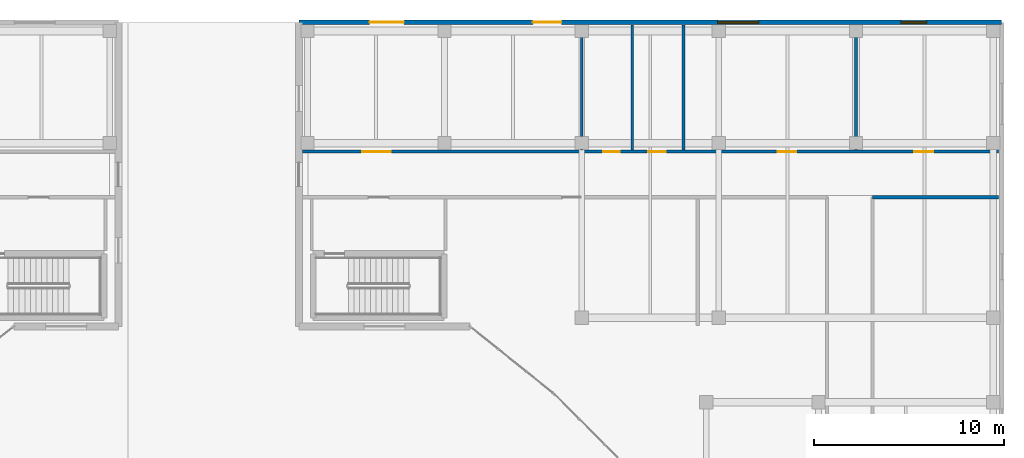
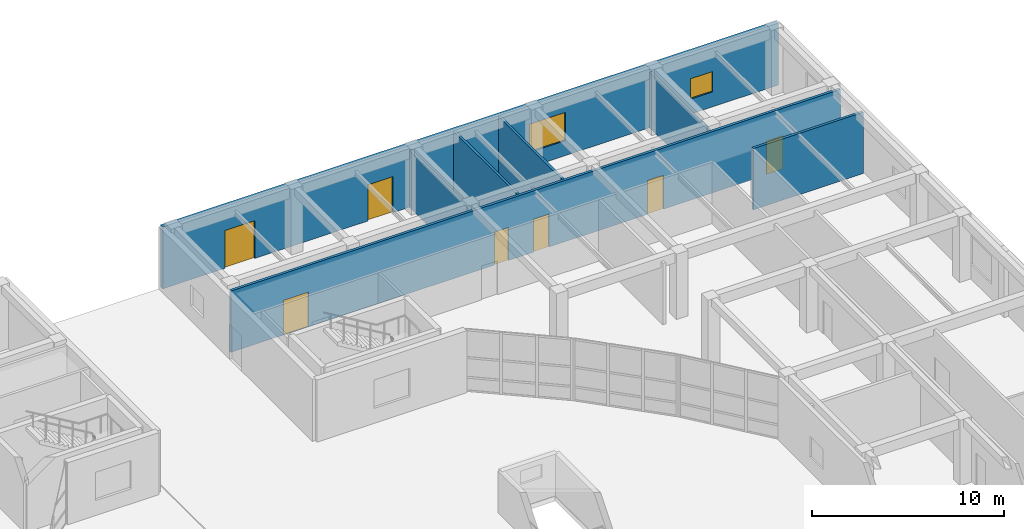
# One storey, part 91 of 114: 7 doors, 7 walls, 2 windows, 9 openings.
"""IFC4 building model written with IfcOpenShell, lengths in metres."""

from ifc_helpers import new_model, si_unit, direction, frame, frame_2d, origin, place, context, subcontext, project, spatial, rectangle, extrude, material, layer, layer_set, type_object, element, fill, save


model = new_model("IFC4")

# Units and contexts
model_context = context("Model", 3, precision=1e-05, world=origin(), true_north=direction((0.0, 1.0)))
body_context = subcontext(model_context, "Body", "Model", "MODEL_VIEW")
ifc_project = project(units=[si_unit("LENGTHUNIT", "METRE"), si_unit("AREAUNIT", "SQUARE_METRE"), si_unit("VOLUMEUNIT", "CUBIC_METRE"), si_unit("PLANEANGLEUNIT", "RADIAN"), si_unit("MASSUNIT", "GRAM", prefix="KILO")], contexts=[model_context])

# Site, building, storey
site_placement = place(None, origin())
site = spatial("IfcSite", under=ifc_project, at=site_placement, CompositionType="ELEMENT")
building_placement = place(site_placement, origin())
building = spatial("IfcBuilding", under=site, at=building_placement, Name="Keldmere Railside Commons", CompositionType="ELEMENT")
storey_placement = place(building_placement, origin())
storey = spatial("IfcBuildingStorey", under=building, at=storey_placement, Name="L00", CompositionType="ELEMENT", Elevation=0.0)

# Wall
ifc_material_1 = material(Name="Acoustic Gypsum Board Partition", Category="gypsum")
ifc_layer_1 = layer(ifc_material_1, 0.159912109375, Name="Corridor Fire Partition 160")
ifc_layer_set_1 = layer_set([ifc_layer_1], Name="Acoustic Gypsum Board Partition")
wall_type_1 = type_object("IfcWallType", Name="Corridor Fire Partition 160", PredefinedType="PARTITIONING", material=ifc_layer_set_1)
wall_1_placement = place(storey_placement, frame((177.199951171875, 106.800048828125, 0.0), z_axis=(0.0, 0.0, 1.0), x_axis=(1.0, 0.0, 0.0)))
element("IfcWall", 1, at=wall_1_placement, inside=storey, type_object=wall_type_1, Name="IW-2 IW-L00-1407", PredefinedType="PARTITIONING", context=body_context, shape_type="SweptSolid", body=[
    extrude(rectangle(XDim=6.6201171875, YDim=0.159912109375, at=frame_2d((3.31005859375, 0.0))), origin(), (0.0, 0.0, 1.0), 3.89501953125),
])

# Wall, openings, doors
wall_2_placement = place(storey_placement, frame((147.179931640625, 109.199951171875, 0.0), z_axis=(0.0, 0.0, 1.0), x_axis=(1.0, 0.0, 0.0)))
wall_2 = element("IfcWall", 2, at=wall_2_placement, inside=storey, type_object=wall_type_1, Name="IW-2 IW-L00-1408", PredefinedType="PARTITIONING", context=body_context, shape_type="SweptSolid", body=[
    extrude(rectangle(XDim=36.64013671875, YDim=0.159912109375, at=frame_2d((18.320068359375, 0.0))), origin(), (0.0, 0.0, 1.0), 3.89501953125),
])
opening_1_placement = place(wall_2_placement, frame((3.169921875, 0.0, 0.0)))
opening_1 = element("IfcOpeningElement", 3, at=opening_1_placement, cuts=wall_2, Name="Opening ID-07", PredefinedType="OPENING", context=body_context, shape_type="SweptSolid", body=[
    extrude(rectangle(XDim=1.5, YDim=2.199951171875, at=frame_2d((0.75, 1.10009765625))), frame((0.0, 0.08984375, 0.0), z_axis=(0.0, -1.0, 0.0), x_axis=(1.0, 0.0, 0.0)), (0.0, 0.0, 1.0), 0.179931640625),
])
opening_2_placement = place(wall_2_placement, frame((15.840087890625, 0.0, 0.0)))
opening_2 = element("IfcOpeningElement", 4, at=opening_2_placement, cuts=wall_2, Name="Opening ID-04", PredefinedType="OPENING", context=body_context, shape_type="SweptSolid", body=[
    extrude(rectangle(XDim=0.860107421875, YDim=2.10009765625, at=frame_2d((0.43017578125, 1.050048828125))), frame((0.0, 0.08984375, 0.0), z_axis=(0.0, -1.0, 0.0), x_axis=(1.0, 0.0, 0.0)), (0.0, 0.0, 1.0), 0.179931640625),
])
opening_3_placement = place(wall_2_placement, frame((18.199951171875, 0.0, 0.0)))
opening_3 = element("IfcOpeningElement", 5, at=opening_3_placement, cuts=wall_2, Name="Opening ID-05", PredefinedType="OPENING", context=body_context, shape_type="SweptSolid", body=[
    extrude(rectangle(XDim=0.93994140625, YDim=2.10009765625, at=frame_2d((0.469970703125, 1.050048828125))), frame((0.0, 0.08984375, 0.0), z_axis=(0.0, -1.0, 0.0), x_axis=(1.0, 0.0, 0.0)), (0.0, 0.0, 1.0), 0.179931640625),
])
opening_4_placement = place(wall_2_placement, frame((25.0400390625, 0.0, 0.0)))
opening_4 = element("IfcOpeningElement", 6, at=opening_4_placement, cuts=wall_2, Name="Opening ID-08", PredefinedType="OPENING", context=body_context, shape_type="SweptSolid", body=[
    extrude(rectangle(XDim=0.9599609375, YDim=2.14990234375, at=frame_2d((0.47998046875, 1.074951171875))), frame((0.0, 0.08984375, 0.0), z_axis=(0.0, -1.0, 0.0), x_axis=(1.0, 0.0, 0.0)), (0.0, 0.0, 1.0), 0.179931640625),
])
opening_5_placement = place(wall_2_placement, frame((32.219970703125, 0.0, 0.0)))
opening_5 = element("IfcOpeningElement", 7, at=opening_5_placement, cuts=wall_2, Name="Opening FD-9", PredefinedType="OPENING", context=body_context, shape_type="SweptSolid", body=[
    extrude(rectangle(XDim=1.0, YDim=2.10009765625, at=frame_2d((0.5, 1.050048828125))), frame((0.0, 0.08984375, 0.0), z_axis=(0.0, -1.0, 0.0), x_axis=(1.0, 0.0, 0.0)), (0.0, 0.0, 1.0), 0.179931640625),
])
ifc_material_2 = material(Name="Engineered Oak Timber", Category="wood")
door_type_1 = type_object("IfcDoorType", Name="Accessible Bathroom Door 940x2100", OperationType="NOTDEFINED", PredefinedType="DOOR", material=ifc_material_2)
door_1_placement = place(opening_3_placement, origin())
door_1 = element("IfcDoor", 8, at=door_1_placement, inside=storey, type_object=door_type_1, Name="ID-05 IDR-L00-1269", OperationType="SINGLE_SWING_LEFT", OverallHeight=2.10009765625, OverallWidth=0.93994140625, PredefinedType="DOOR", context=body_context, shape_type="SweptSolid", body=[
    extrude(rectangle(XDim=0.93994140625, YDim=2.10009765625, at=frame_2d((0.469970703125, 1.050048828125))), frame((0.0, 0.02490234375, 0.0), z_axis=(0.0, -1.0, 0.0), x_axis=(1.0, 0.0, 0.0)), (0.0, 0.0, 1.0), 0.050048828125),
])
fill(opening_3, door_1)
door_type_2 = type_object("IfcDoorType", Name="Apartment Bathroom Door 860x2100", OperationType="NOTDEFINED", PredefinedType="DOOR", material=ifc_material_2)
door_2_placement = place(opening_2_placement, origin())
door_2 = element("IfcDoor", 9, at=door_2_placement, inside=storey, type_object=door_type_2, Name="ID-04 IDR-L00-1268", OperationType="SINGLE_SWING_RIGHT", OverallHeight=2.10009765625, OverallWidth=0.860107421875, PredefinedType="DOOR", context=body_context, shape_type="SweptSolid", body=[
    extrude(rectangle(XDim=0.860107421875, YDim=2.10009765625, at=frame_2d((0.43017578125, 1.050048828125))), frame((0.0, 0.02490234375, 0.0), z_axis=(0.0, -1.0, 0.0), x_axis=(1.0, 0.0, 0.0)), (0.0, 0.0, 1.0), 0.050048828125),
])
fill(opening_2, door_2)
door_type_3 = type_object("IfcDoorType", Name="Resident Lounge Double Door 1500x2200", OperationType="DOUBLE_DOOR_SINGLE_SWING", PredefinedType="DOOR", material=ifc_material_2)
door_3_placement = place(opening_1_placement, origin())
door_3 = element("IfcDoor", 10, at=door_3_placement, inside=storey, type_object=door_type_3, Name="ID-07 IDR-L00-1267", OperationType="DOUBLE_DOOR_SINGLE_SWING", OverallHeight=2.199951171875, OverallWidth=1.5, PredefinedType="DOOR", context=body_context, shape_type="SweptSolid", body=[
    extrude(rectangle(XDim=1.5, YDim=2.199951171875, at=frame_2d((0.75, 1.10009765625))), frame((0.0, 0.02490234375, 0.0), z_axis=(0.0, -1.0, 0.0), x_axis=(1.0, 0.0, 0.0)), (0.0, 0.0, 1.0), 0.050048828125),
])
fill(opening_1, door_3)
door_type_4 = type_object("IfcDoorType", Name="Study & Meeting Room Door 960x2150", OperationType="NOTDEFINED", PredefinedType="DOOR", material=ifc_material_2)
door_4_placement = place(opening_4_placement, origin())
door_4 = element("IfcDoor", 11, at=door_4_placement, inside=storey, type_object=door_type_4, Name="ID-08 IDR-L00-1270", OperationType="SINGLE_SWING_RIGHT", OverallHeight=2.14990234375, OverallWidth=0.9599609375, PredefinedType="DOOR", context=body_context, shape_type="SweptSolid", body=[
    extrude(rectangle(XDim=0.9599609375, YDim=2.14990234375, at=frame_2d((0.47998046875, 1.074951171875))), frame((0.0, 0.02490234375, 0.0), z_axis=(0.0, -1.0, 0.0), x_axis=(1.0, 0.0, 0.0)), (0.0, 0.0, 1.0), 0.050048828125),
])
fill(opening_4, door_4)
ifc_material_3 = material(Name="Steel F-24 (S235)", Category="steel")
door_type_5 = type_object("IfcDoorType", Name="Waste & Storage Fire Door 1000x2100", OperationType="NOTDEFINED", PredefinedType="DOOR", material=ifc_material_3)
door_5_placement = place(opening_5_placement, origin())
door_5 = element("IfcDoor", 12, at=door_5_placement, inside=storey, type_object=door_type_5, Name="FD-9 IDR-L00-1271", OperationType="SINGLE_SWING_LEFT", OverallHeight=2.10009765625, OverallWidth=1.0, PredefinedType="DOOR", context=body_context, shape_type="SweptSolid", body=[
    extrude(rectangle(XDim=1.0, YDim=2.10009765625, at=frame_2d((0.5, 1.050048828125))), frame((0.0, 0.02490234375, 0.0), z_axis=(0.0, -1.0, 0.0), x_axis=(1.0, 0.0, 0.0)), (0.0, 0.0, 1.0), 0.050048828125),
])
fill(opening_5, door_5)

# Wall, openings, windows, doors
ifc_material_4 = material(Name="Architectural Precast Concrete H-35 (C35/45)", Category="concrete")
ifc_layer_2 = layer(ifc_material_4, 0.239990234375, Name="Sand-Ochre Precast Cavity Wall 240")
ifc_layer_set_2 = layer_set([ifc_layer_2], Name="Architectural Precast Concrete H-35 (C35/45)")
wall_type_2 = type_object("IfcWallType", Name="Sand-Ochre Precast Cavity Wall 240", PredefinedType="SOLIDWALL", material=ifc_layer_set_2)
wall_3_placement = place(storey_placement, frame((147.0, 116.0, 0.0), z_axis=(0.0, 0.0, 1.0), x_axis=(1.0, 0.0, 0.0)))
wall_3 = element("IfcWall", 13, at=wall_3_placement, inside=storey, type_object=wall_type_2, Name="EW-2 EXTA-L00-0878", PredefinedType="SOLIDWALL", context=body_context, shape_type="SweptSolid", body=[
    extrude(rectangle(XDim=37.0, YDim=0.239990234375, at=frame_2d((18.5, 0.0))), origin(), (0.0, 0.0, 1.0), 3.93994140625),
])
opening_6_placement = place(wall_3_placement, frame((3.72509765625, 0.0, 0.0)))
opening_6 = element("IfcOpeningElement", 14, at=opening_6_placement, cuts=wall_3, Name="Opening ED-01", PredefinedType="OPENING", context=body_context, shape_type="SweptSolid", body=[
    extrude(rectangle(XDim=1.800048828125, YDim=2.39990234375, at=frame_2d((0.89990234375, 1.199951171875))), frame((0.0, 0.1298828125, 0.0), z_axis=(0.0, -1.0, 0.0), x_axis=(1.0, 0.0, 0.0)), (0.0, 0.0, 1.0), 0.260009765625),
])
opening_7_placement = place(wall_3_placement, frame((12.324951171875, 0.0, 0.0)))
opening_7 = element("IfcOpeningElement", 15, at=opening_7_placement, cuts=wall_3, Name="Opening ED-09", PredefinedType="OPENING", context=body_context, shape_type="SweptSolid", body=[
    extrude(rectangle(XDim=1.5, YDim=2.300048828125, at=frame_2d((0.75, 1.14990234375))), frame((0.0, 0.1298828125, 0.0), z_axis=(0.0, -1.0, 0.0), x_axis=(1.0, 0.0, 0.0)), (0.0, 0.0, 1.0), 0.260009765625),
])
opening_8_placement = place(wall_3_placement, frame((22.050048828125, 0.0, 0.949951171875)))
opening_8 = element("IfcOpeningElement", 16, at=opening_8_placement, cuts=wall_3, Name="Opening WN-41", PredefinedType="OPENING", context=body_context, shape_type="SweptSolid", body=[
    extrude(rectangle(XDim=2.14990234375, YDim=1.800048828125, at=frame_2d((1.074951171875, 0.89990234375))), frame((0.0, 0.1298828125, 0.0), z_axis=(0.0, -1.0, 0.0), x_axis=(1.0, 0.0, 0.0)), (0.0, 0.0, 1.0), 0.260009765625),
])
opening_9_placement = place(wall_3_placement, frame((31.699951171875, 0.0, 0.949951171875)))
opening_9 = element("IfcOpeningElement", 17, at=opening_9_placement, cuts=wall_3, Name="Opening WN-25", PredefinedType="OPENING", context=body_context, shape_type="SweptSolid", body=[
    extrude(rectangle(XDim=1.35009765625, YDim=1.300048828125, at=frame_2d((0.675048828125, 0.64990234375))), frame((0.0, 0.1298828125, 0.0), z_axis=(0.0, -1.0, 0.0), x_axis=(1.0, 0.0, 0.0)), (0.0, 0.0, 1.0), 0.260009765625),
])
ifc_material_5 = material(Name="Low-E Insulated Double Glazing", Category="glass")
window_type_1 = type_object("IfcWindowType", Name="North Plinth Gallery Window 2150x1800", PartitioningType="SINGLE_PANEL", PredefinedType="WINDOW", material=ifc_material_5)
window_1_placement = place(opening_8_placement, origin())
window_1 = element("IfcWindow", 18, at=window_1_placement, inside=storey, type_object=window_type_1, Name="WN-41 WIN-L00-0577", OverallHeight=1.800048828125, OverallWidth=2.14990234375, PartitioningType="SINGLE_PANEL", PredefinedType="WINDOW", context=body_context, shape_type="SweptSolid", body=[
    extrude(rectangle(XDim=2.14990234375, YDim=1.800048828125, at=frame_2d((1.074951171875, 0.89990234375))), frame((0.0, 0.030029296875, 0.0), z_axis=(0.0, -1.0, 0.0), x_axis=(1.0, 0.0, 0.0)), (0.0, 0.0, 1.0), 0.06005859375),
])
fill(opening_8, window_1)
window_type_2 = type_object("IfcWindowType", Name="Podium Laundry & Mailroom Window 1350x1300", PartitioningType="SINGLE_PANEL", PredefinedType="WINDOW", material=ifc_material_5)
window_2_placement = place(opening_9_placement, origin())
window_2 = element("IfcWindow", 19, at=window_2_placement, inside=storey, type_object=window_type_2, Name="WN-25 WIN-L00-0578", OverallHeight=1.300048828125, OverallWidth=1.35009765625, PartitioningType="SINGLE_PANEL", PredefinedType="WINDOW", context=body_context, shape_type="SweptSolid", body=[
    extrude(rectangle(XDim=1.35009765625, YDim=1.300048828125, at=frame_2d((0.675048828125, 0.64990234375))), frame((0.0, 0.030029296875, 0.0), z_axis=(0.0, -1.0, 0.0), x_axis=(1.0, 0.0, 0.0)), (0.0, 0.0, 1.0), 0.06005859375),
])
fill(opening_9, window_2)
ifc_material_6 = material(Name="Thermally Broken Aluminium", Category="aluminium")
door_type_6 = type_object("IfcDoorType", Name="Residential Main Entrance Double Door 1800x2400", OperationType="DOUBLE_DOOR_SINGLE_SWING", PredefinedType="DOOR", material=ifc_material_6)
door_6_placement = place(opening_6_placement, origin())
door_6 = element("IfcDoor", 20, at=door_6_placement, inside=storey, type_object=door_type_6, Name="ED-01 DR-L00-0216", OperationType="DOUBLE_DOOR_SINGLE_SWING", OverallHeight=2.39990234375, OverallWidth=1.800048828125, PredefinedType="DOOR", context=body_context, shape_type="SweptSolid", body=[
    extrude(rectangle(XDim=1.800048828125, YDim=2.39990234375, at=frame_2d((0.89990234375, 1.199951171875))), frame((0.0, 0.02490234375, 0.0), z_axis=(0.0, -1.0, 0.0), x_axis=(1.0, 0.0, 0.0)), (0.0, 0.0, 1.0), 0.050048828125),
])
fill(opening_6, door_6)
door_type_7 = type_object("IfcDoorType", Name="Transformer & Utility Street Door 1500x2300", OperationType="DOUBLE_DOOR_SINGLE_SWING", PredefinedType="DOOR", material=ifc_material_3)
door_7_placement = place(opening_7_placement, origin())
door_7 = element("IfcDoor", 21, at=door_7_placement, inside=storey, type_object=door_type_7, Name="ED-09 Plant Service Door DR-L00-0217", OperationType="DOUBLE_DOOR_SINGLE_SWING", OverallHeight=2.300048828125, OverallWidth=1.5, PredefinedType="DOOR", context=body_context, shape_type="SweptSolid", body=[
    extrude(rectangle(XDim=1.5, YDim=2.300048828125, at=frame_2d((0.75, 1.14990234375))), frame((0.0, 0.02490234375, 0.0), z_axis=(0.0, -1.0, 0.0), x_axis=(1.0, 0.0, 0.0)), (0.0, 0.0, 1.0), 0.050048828125),
])
fill(opening_7, door_7)

# Walls
ifc_layer_3 = layer(ifc_material_1, 0.139892578125, Name="Wet-Room Sanitary Partition 140")
ifc_layer_set_3 = layer_set([ifc_layer_3], Name="Acoustic Gypsum Board Partition")
wall_type_3 = type_object("IfcWallType", Name="Wet-Room Sanitary Partition 140", PredefinedType="PARTITIONING", material=ifc_layer_set_3)
wall_4_placement = place(storey_placement, frame((161.889892578125, 109.280029296875, 0.0), z_axis=(0.0, 0.0, 1.0), x_axis=(0.0, 1.0, 0.0)))
element("IfcWall", 22, at=wall_4_placement, inside=storey, type_object=wall_type_3, Name="IW-5 IW-L00-1415", PredefinedType="PARTITIONING", context=body_context, shape_type="SweptSolid", body=[
    extrude(rectangle(XDim=6.599853515625, YDim=0.139892578125, at=frame_2d((3.2998046875, 0.0))), origin(), (0.0, 0.0, 1.0), 3.639892578125),
])
for number, where, z_axis, x_axis, name in (
    (23, (164.550048828125, 109.280029296875, 0.0), (0.0, 0.0, 1.0), (0.0, 1.0, 0.0), "IW-5 IW-L00-1416"),
    (24, (167.25, 109.280029296875, 0.0), (0.0, 0.0, 1.0), (0.0, 1.0, 0.0), "IW-5 IW-L00-1417"),
):
    element("IfcWall", number, at=place(storey_placement, frame(where, z_axis=z_axis, x_axis=x_axis)), inside=storey, type_object=wall_type_3, Name=name, PredefinedType="PARTITIONING", context=body_context, shape_type="SweptSolid", body=[
        extrude(rectangle(XDim=6.599853515625, YDim=0.139892578125, at=frame_2d((3.2998046875, 0.0))), origin(), (0.0, 0.0, 1.0), 3.89501953125),
    ])
wall_5_placement = place(storey_placement, frame((176.330078125, 109.280029296875, 0.0), z_axis=(0.0, 0.0, 1.0), x_axis=(0.0, 1.0, 0.0)))
element("IfcWall", 25, at=wall_5_placement, inside=storey, type_object=wall_type_3, Name="IW-5 IW-L00-1418", PredefinedType="PARTITIONING", context=body_context, shape_type="SweptSolid", body=[
    extrude(rectangle(XDim=6.599853515625, YDim=0.139892578125, at=frame_2d((3.2998046875, 0.0))), origin(), (0.0, 0.0, 1.0), 3.5400390625),
])

save(model, "model.ifc")
